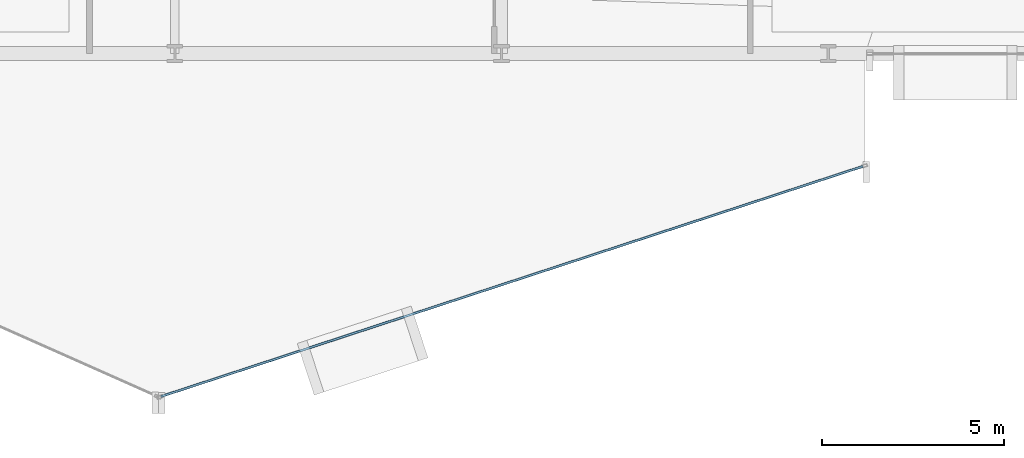
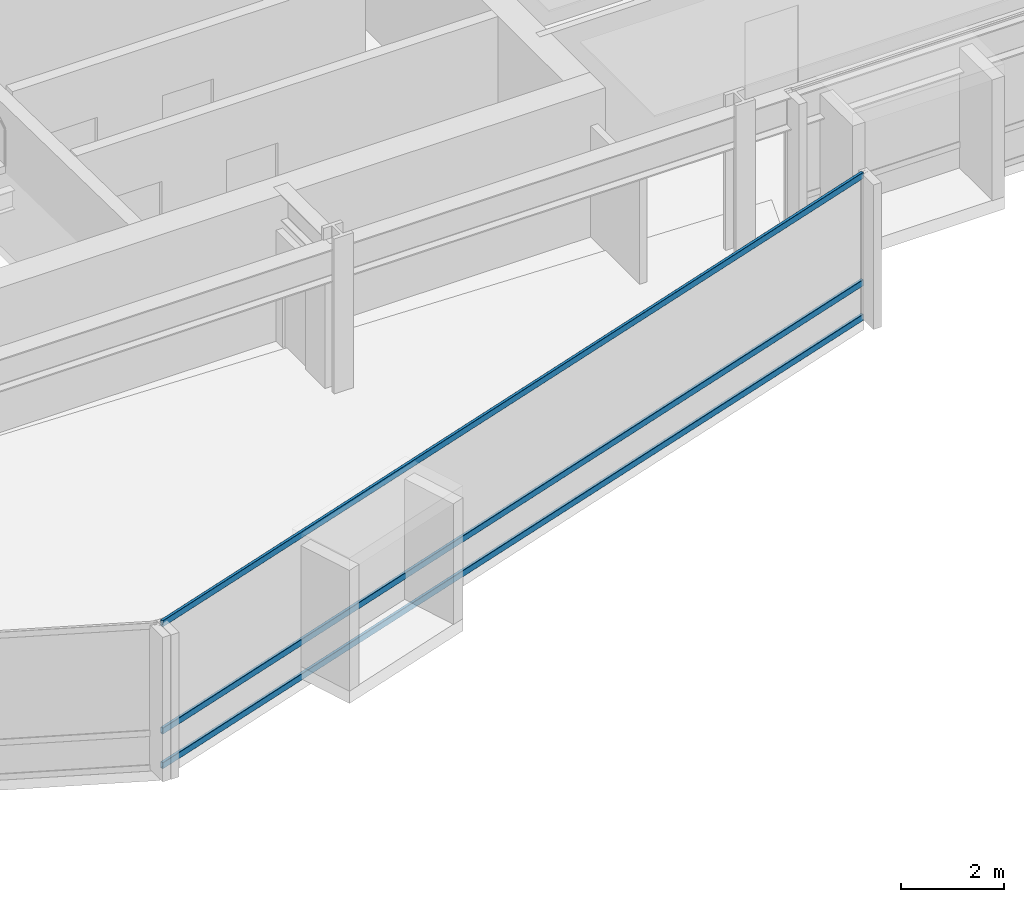
# One storey, part 9 of 34: 3 members, 1 element without a shape of its own.
"""IFC4 building model written with IfcOpenShell, lengths in metres."""

from ifc_helpers import new_model, si_unit, direction, frame, origin, origin_2d, place, context, subcontext, project, spatial, hollow_rectangle, extrude, material, layer, layer_set, material_profile, profile_set, type_object, element, aggregate, save


model = new_model("IFC4")

# Units and contexts
model_context = context("Model", 3, precision=1e-05, world=origin(), true_north=direction((0.0, 1.0)))
body_context = subcontext(model_context, "Body", "Model", "MODEL_VIEW")
ifc_project = project(units=[si_unit("LENGTHUNIT", "METRE"), si_unit("AREAUNIT", "SQUARE_METRE"), si_unit("VOLUMEUNIT", "CUBIC_METRE"), si_unit("PLANEANGLEUNIT", "RADIAN"), si_unit("MASSUNIT", "GRAM", prefix="KILO")], contexts=[model_context])

# Site, building, storey
site_placement = place(None, origin())
site = spatial("IfcSite", under=ifc_project, at=site_placement, CompositionType="ELEMENT")
building_placement = place(site_placement, origin())
building = spatial("IfcBuilding", under=site, at=building_placement, Name="Solvaryn Broadcast Tower", CompositionType="ELEMENT")
storey_placement = place(building_placement, frame((0.0, 0.0, 50.800048828125)))
storey = spatial("IfcBuildingStorey", under=building, at=storey_placement, Name="L11", CompositionType="ELEMENT", Elevation=50.800048828125)

# Curtain wall, members
ifc_material_1 = material(Name="Aluminium and Terracotta Unitised Curtain Wall", Category="masonry")
ifc_layer = layer(ifc_material_1, 0.199951171875)
ifc_layer_set = layer_set([ifc_layer], Name="CW-SYS2-LOWMID")
curtain_wall_type = type_object("IfcCurtainWallType", Name="CW-SYS2-LOWMID", PredefinedType="NOTDEFINED", material=ifc_layer_set)
curtain_wall_placement = place(storey_placement, origin())
curtain_wall = element("IfcCurtainWall", 1, at=curtain_wall_placement, inside=storey, type_object=curtain_wall_type, Name="L11 Curtain Wall DR4", PredefinedType="NOTDEFINED")
ifc_material_2 = material(Name="Anodised Aluminium 6063-T6", Category="aluminium")
ifc_material_profile = material_profile(ifc_material_2, hollow_rectangle(XDim=0.06494140625, YDim=0.14990234375, WallThickness=0.00390625, InnerFilletRadius=0.00390625, OuterFilletRadius=0.008056640625, at=origin_2d()))
ifc_profile_set = profile_set([ifc_material_profile], Name="Anodised Aluminium 6063-T6")
member_type = type_object("IfcMemberType", Name="CW-TRN-150", PredefinedType="USERDEFINED", material=ifc_profile_set)
member_1_placement = place(storey_placement, frame((26.616943359375, -0.4453125, 0.030029296875), z_axis=(0.950216792475, 0.311589549406, 0.0), x_axis=(-0.311589549406, 0.950216792475, 0.0)))
member_1 = element("IfcMember", 2, at=member_1_placement, type_object=member_type, Name="CWS2 transom 1.1", ObjectType="TRANSOM", PredefinedType="USERDEFINED", context=body_context, shape_type="SweptSolid", body=[
    extrude(hollow_rectangle(XDim=0.06494140625, YDim=0.14990234375, WallThickness=0.00390625, InnerFilletRadius=0.00390625, OuterFilletRadius=0.008056640625, at=origin_2d()), origin(), (0.0, 0.0, 1.0), 20.35546875),
])
member_2_placement = place(storey_placement, frame((26.616943359375, -0.4453125, 0.849853515625), z_axis=(0.950216792475, 0.311589549406, 0.0), x_axis=(-0.311589549406, 0.950216792475, 0.0)))
member_2 = element("IfcMember", 3, at=member_2_placement, type_object=member_type, Name="CWS2 transom 1.2", ObjectType="TRANSOM", PredefinedType="USERDEFINED", context=body_context, shape_type="SweptSolid", body=[
    extrude(hollow_rectangle(XDim=0.06494140625, YDim=0.14990234375, WallThickness=0.00390625, InnerFilletRadius=0.00390625, OuterFilletRadius=0.008056640625, at=origin_2d()), origin(), (0.0, 0.0, 1.0), 20.35546875),
])
member_3_placement = place(storey_placement, frame((26.616943359375, -0.4453125, 3.389892578125), z_axis=(0.950216792475, 0.311589549406, 0.0), x_axis=(-0.311589549406, 0.950216792475, 0.0)))
member_3 = element("IfcMember", 4, at=member_3_placement, type_object=member_type, Name="CWS2 transom 1.3", ObjectType="TRANSOM", PredefinedType="USERDEFINED", context=body_context, shape_type="SweptSolid", body=[
    extrude(hollow_rectangle(XDim=0.06494140625, YDim=0.14990234375, WallThickness=0.00390625, InnerFilletRadius=0.00390625, OuterFilletRadius=0.008056640625, at=origin_2d()), origin(), (0.0, 0.0, 1.0), 20.35546875),
])
aggregate(curtain_wall, [member_1, member_2, member_3])

save(model, "model.ifc")
